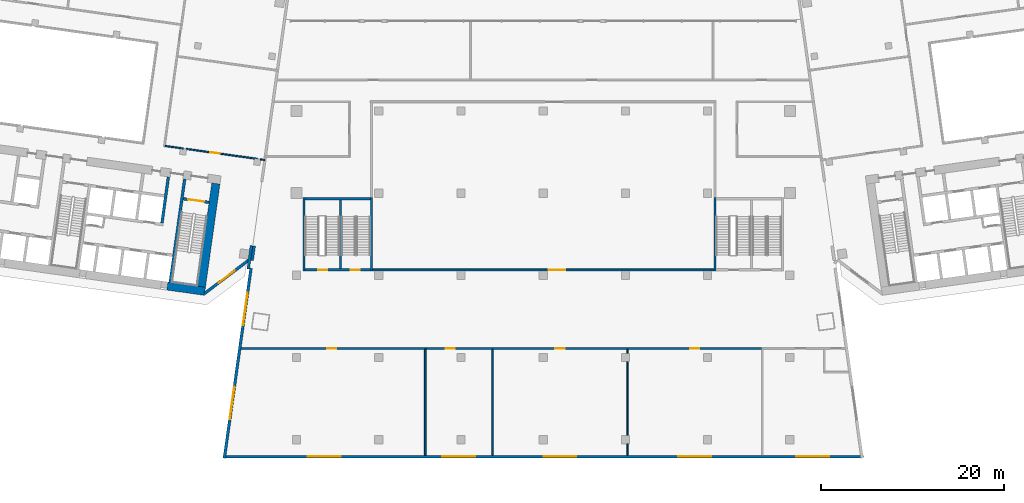
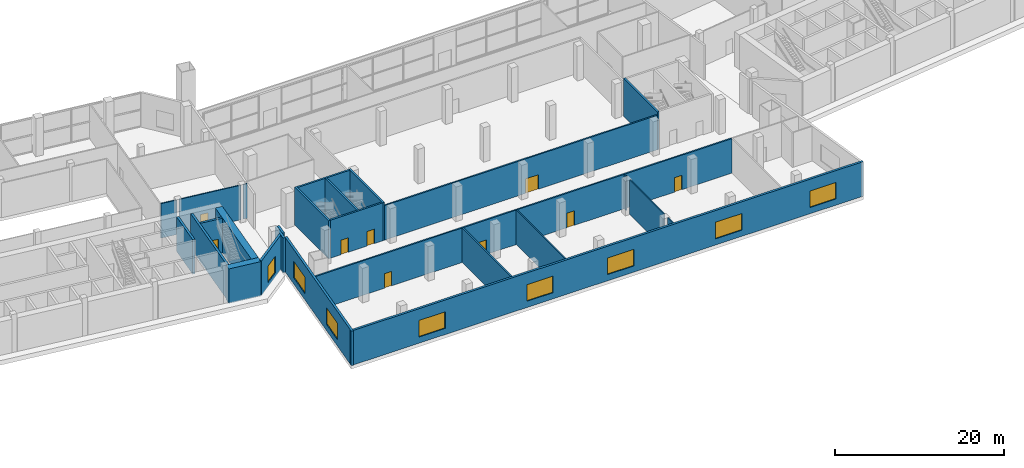
# One storey, part 13 of 23: 27 walls, 9 doors, 8 windows, 17 openings.
"""IFC4 building model written with IfcOpenShell, lengths in metres."""

from ifc_helpers import new_model, si_unit, direction, frame, frame_2d, origin, place, context, subcontext, project, spatial, rectangle, extrude, material, layer, layer_set, type_object, element, fill, save


model = new_model("IFC4")

# Units and contexts
model_context = context("Model", 3, precision=1e-05, world=origin(), true_north=direction((0.0, 1.0)))
body_context = subcontext(model_context, "Body", "Model", "MODEL_VIEW")
ifc_project = project(units=[si_unit("LENGTHUNIT", "METRE"), si_unit("AREAUNIT", "SQUARE_METRE"), si_unit("VOLUMEUNIT", "CUBIC_METRE"), si_unit("PLANEANGLEUNIT", "RADIAN"), si_unit("MASSUNIT", "GRAM", prefix="KILO")], contexts=[model_context])

# Site, building, storey
site_placement = place(None, origin())
site = spatial("IfcSite", under=ifc_project, at=site_placement, CompositionType="ELEMENT")
building_placement = place(site_placement, origin())
building = spatial("IfcBuilding", under=site, at=building_placement, Name="Mirante Cascada Hotel Towers", CompositionType="ELEMENT")
storey_placement = place(building_placement, frame((0.0, 0.0, 29.0)))
storey = spatial("IfcBuildingStorey", under=building, at=storey_placement, Name="L04", CompositionType="ELEMENT", Elevation=29.0)

# Wall
ifc_material_1 = material(Name="Masonry block", Category="masonry")
ifc_layer_1 = layer(ifc_material_1, 0.15)
ifc_layer_set_1 = layer_set([ifc_layer_1], Name="Corridor wall 150 block")
wall_type_1 = type_object("IfcWallType", Name="Corridor wall 150 block", PredefinedType="PARTITIONING", material=ifc_layer_set_1)
wall_1_placement = place(storey_placement, frame((-41.4008, -3.8311, 0.0), z_axis=(0.0, 0.0, 1.0), x_axis=(0.9902711, -0.1391512, 0.0)))
element("IfcWall", 1, at=wall_1_placement, inside=storey, type_object=wall_type_1, Name="Corridor wall T1 L04", PredefinedType="PARTITIONING", context=body_context, shape_type="SweptSolid", body=[
    extrude(rectangle(XDim=2.0108, YDim=0.15, at=frame_2d((1.0054, 0.0))), origin(), (0.0, 0.0, 1.0), 5.0),
])

# Wall, opening, door
wall_2_placement = place(storey_placement, frame((-39.0843, -4.1567, 0.0), z_axis=(0.0, 0.0, 1.0), x_axis=(0.9902676, -0.1391764, 0.0)))
wall_2 = element("IfcWall", 2, at=wall_2_placement, inside=storey, type_object=wall_type_1, Name="Corridor wall T1 L04", PredefinedType="PARTITIONING", context=body_context, shape_type="SweptSolid", body=[
    extrude(rectangle(XDim=7.8713, YDim=0.15, at=frame_2d((3.9356, 0.0))), origin(), (0.0, 0.0, 1.0), 5.0),
])
opening_1_placement = place(wall_2_placement, frame((2.6782, 0.0, 0.0)))
opening_1 = element("IfcOpeningElement", 3, at=opening_1_placement, cuts=wall_2, Name="Opening DP1-L04-01", PredefinedType="OPENING", context=body_context, shape_type="SweptSolid", body=[
    extrude(rectangle(XDim=1.0, YDim=2.1, at=frame_2d((0.5, 1.05))), frame((0.0, 0.075, 0.0), z_axis=(0.0, -1.0, 0.0), x_axis=(1.0, 0.0, 0.0)), (0.0, 0.0, 1.0), 0.15),
])
ifc_material_2 = material(Name="Timber door leaf", Category="wood")
door_type_1 = type_object("IfcDoorType", Name="Single door 1000x2100", OperationType="NOTDEFINED", PredefinedType="DOOR", material=ifc_material_2)
door_1_placement = place(opening_1_placement, frame((1.0, 0.0, 0.0), z_axis=(0.0, 0.0, 1.0), x_axis=(-1.0, 0.0, 0.0)))
door_1 = element("IfcDoor", 4, at=door_1_placement, inside=storey, type_object=door_type_1, Name="Door DP1-L04-01", OperationType="SINGLE_SWING_LEFT", OverallHeight=2.1, OverallWidth=1.0, PredefinedType="DOOR", context=body_context, shape_type="SweptSolid", body=[
    extrude(rectangle(XDim=1.0, YDim=2.1, at=frame_2d((0.5, 1.05))), frame((0.0, 0.025, 0.0), z_axis=(0.0, -1.0, 0.0), x_axis=(1.0, 0.0, 0.0)), (0.0, 0.0, 1.0), 0.05),
])
fill(opening_1, door_1)

# Wall
wall_3_placement = place(storey_placement, frame((-30.9641, -5.2979, 0.0), z_axis=(0.0, 0.0, 1.0), x_axis=(0.9902657, -0.1391899, 0.0)))
element("IfcWall", 5, at=wall_3_placement, inside=storey, type_object=wall_type_1, Name="Corridor wall T1 L04", PredefinedType="PARTITIONING", context=body_context, shape_type="SweptSolid", body=[
    extrude(rectangle(XDim=0.4957, YDim=0.15, at=frame_2d((0.2478, 0.0))), origin(), (0.0, 0.0, 1.0), 5.0),
])

# Wall, openings, doors
ifc_material_3 = material(Name="Masonry block", Category="masonry")
ifc_layer_2 = layer(ifc_material_3, 0.2)
ifc_layer_set_2 = layer_set([ifc_layer_2], Name="Hall wall 200 block")
wall_type_2 = type_object("IfcWallType", Name="Hall wall 200 block", PredefinedType="PARTITIONING", material=ifc_layer_set_2)
wall_4_placement = place(storey_placement, frame((-12.8266, -26.0, 0.0), z_axis=(0.0, 0.0, 1.0), x_axis=(1.0, 0.0, 0.0)))
wall_4 = element("IfcWall", 6, at=wall_4_placement, inside=storey, type_object=wall_type_2, Name="Hall wall P L04", PredefinedType="PARTITIONING", context=body_context, shape_type="SweptSolid", body=[
    extrude(rectangle(XDim=36.7497, YDim=0.2, at=frame_2d((18.3748, 0.0))), origin(), (0.0, 0.0, 1.0), 5.0),
])
opening_2_placement = place(wall_4_placement, frame((2.1454, 0.0, 0.0)))
opening_2 = element("IfcOpeningElement", 7, at=opening_2_placement, cuts=wall_4, Name="Opening DP-L04-10", PredefinedType="OPENING", context=body_context, shape_type="SweptSolid", body=[
    extrude(rectangle(XDim=1.0, YDim=2.1, at=frame_2d((0.5, 1.05))), frame((0.0, 0.1, 0.0), z_axis=(0.0, -1.0, 0.0), x_axis=(1.0, 0.0, 0.0)), (0.0, 0.0, 1.0), 0.2),
])
opening_3_placement = place(wall_4_placement, frame((14.1718, 0.0, 0.0)))
opening_3 = element("IfcOpeningElement", 8, at=opening_3_placement, cuts=wall_4, Name="Opening DP-L04-11", PredefinedType="OPENING", context=body_context, shape_type="SweptSolid", body=[
    extrude(rectangle(XDim=1.0, YDim=2.1, at=frame_2d((0.5, 1.05))), frame((0.0, 0.1, 0.0), z_axis=(0.0, -1.0, 0.0), x_axis=(1.0, 0.0, 0.0)), (0.0, 0.0, 1.0), 0.2),
])
opening_4_placement = place(wall_4_placement, frame((28.9012, 0.0, 0.0)))
opening_4 = element("IfcOpeningElement", 9, at=opening_4_placement, cuts=wall_4, Name="Opening DP-L04-12", PredefinedType="OPENING", context=body_context, shape_type="SweptSolid", body=[
    extrude(rectangle(XDim=1.0, YDim=2.1, at=frame_2d((0.5, 1.05))), frame((0.0, 0.1, 0.0), z_axis=(0.0, -1.0, 0.0), x_axis=(1.0, 0.0, 0.0)), (0.0, 0.0, 1.0), 0.2),
])
door_2_placement = place(opening_2_placement, frame((1.0, 0.0, 0.0), z_axis=(0.0, 0.0, 1.0), x_axis=(-1.0, 0.0, 0.0)))
door_2 = element("IfcDoor", 10, at=door_2_placement, inside=storey, type_object=door_type_1, Name="Door DP-L04-10", OperationType="SINGLE_SWING_RIGHT", OverallHeight=2.1, OverallWidth=1.0, PredefinedType="DOOR", context=body_context, shape_type="SweptSolid", body=[
    extrude(rectangle(XDim=1.0, YDim=2.1, at=frame_2d((0.5, 1.05))), frame((0.0, 0.025, 0.0), z_axis=(0.0, -1.0, 0.0), x_axis=(1.0, 0.0, 0.0)), (0.0, 0.0, 1.0), 0.05),
])
fill(opening_2, door_2)
door_3_placement = place(opening_3_placement, origin())
door_3 = element("IfcDoor", 11, at=door_3_placement, inside=storey, type_object=door_type_1, Name="Door DP-L04-11", OperationType="SINGLE_SWING_LEFT", OverallHeight=2.1, OverallWidth=1.0, PredefinedType="DOOR", context=body_context, shape_type="SweptSolid", body=[
    extrude(rectangle(XDim=1.0, YDim=2.1, at=frame_2d((0.5, 1.05))), frame((0.0, 0.025, 0.0), z_axis=(0.0, -1.0, 0.0), x_axis=(1.0, 0.0, 0.0)), (0.0, 0.0, 1.0), 0.05),
])
fill(opening_3, door_3)
door_4_placement = place(opening_4_placement, origin())
door_4 = element("IfcDoor", 12, at=door_4_placement, inside=storey, type_object=door_type_1, Name="Door DP-L04-12", OperationType="SINGLE_SWING_RIGHT", OverallHeight=2.1, OverallWidth=1.0, PredefinedType="DOOR", context=body_context, shape_type="SweptSolid", body=[
    extrude(rectangle(XDim=1.0, YDim=2.1, at=frame_2d((0.5, 1.05))), frame((0.0, 0.025, 0.0), z_axis=(0.0, -1.0, 0.0), x_axis=(1.0, 0.0, 0.0)), (0.0, 0.0, 1.0), 0.05),
])
fill(opening_4, door_4)

# Wall, opening, door
wall_5_placement = place(storey_placement, frame((-18.685, -17.4, 0.0), z_axis=(0.0, 0.0, 1.0), x_axis=(1.0, 0.0, 0.0)))
wall_5 = element("IfcWall", 13, at=wall_5_placement, inside=storey, type_object=wall_type_2, Name="Hall wall P L04", PredefinedType="PARTITIONING", context=body_context, shape_type="SweptSolid", body=[
    extrude(rectangle(XDim=37.37, YDim=0.2, at=frame_2d((18.685, 0.0))), origin(), (0.0, 0.0, 1.0), 5.0),
])
opening_5_placement = place(wall_5_placement, frame((19.285, 0.0, 0.0)))
opening_5 = element("IfcOpeningElement", 14, at=opening_5_placement, cuts=wall_5, Name="Opening DP-L04-05", PredefinedType="OPENING", context=body_context, shape_type="SweptSolid", body=[
    extrude(rectangle(XDim=1.8, YDim=2.1, at=frame_2d((0.9, 1.05))), frame((0.0, 0.1, 0.0), z_axis=(0.0, -1.0, 0.0), x_axis=(1.0, 0.0, 0.0)), (0.0, 0.0, 1.0), 0.2),
])
ifc_material_4 = material(Name="Timber door leaf", Category="wood")
door_type_2 = type_object("IfcDoorType", Name="Double door 1800x2100", OperationType="DOUBLE_DOOR_SINGLE_SWING", PredefinedType="DOOR", material=ifc_material_4)
door_5_placement = place(opening_5_placement, origin())
door_5 = element("IfcDoor", 15, at=door_5_placement, inside=storey, type_object=door_type_2, Name="Door DP-L04-05", OperationType="DOUBLE_DOOR_SINGLE_SWING", OverallHeight=2.1, OverallWidth=1.8, PredefinedType="DOOR", context=body_context, shape_type="SweptSolid", body=[
    extrude(rectangle(XDim=0.895, YDim=2.1, at=frame_2d((0.4475, 1.05))), frame((0.0, 0.025, 0.0), z_axis=(0.0, -1.0, 0.0), x_axis=(1.0, 0.0, 0.0)), (0.0, 0.0, 1.0), 0.05),
    extrude(rectangle(XDim=0.895, YDim=2.1, at=frame_2d((1.3525, 1.05))), frame((0.0, 0.025, 0.0), z_axis=(0.0, -1.0, 0.0), x_axis=(1.0, 0.0, 0.0)), (0.0, 0.0, 1.0), 0.05),
])
fill(opening_5, door_5)

ifc_material_5 = material(Name="Masonry block", Category="masonry")
ifc_layer_3 = layer(ifc_material_5, 0.2)
ifc_layer_set_3 = layer_set([ifc_layer_3], Name="Kitchen wall 200 block EI 120")
wall_type_3 = type_object("IfcWallType", Name="Kitchen wall 200 block EI 120", PredefinedType="PARTITIONING", material=ifc_layer_set_3)
wall_6_placement = place(storey_placement, frame((-33.0701, -26.0, 0.0), z_axis=(0.0, 0.0, 1.0), x_axis=(1.0, 0.0, 0.0)))
wall_6 = element("IfcWall", 16, at=wall_6_placement, inside=storey, type_object=wall_type_3, Name="Kitchen wall P L04", PredefinedType="PARTITIONING", context=body_context, shape_type="SweptSolid", body=[
    extrude(rectangle(XDim=20.2635, YDim=0.2, at=frame_2d((10.1318, 0.0))), origin(), (0.0, 0.0, 1.0), 5.0),
])
opening_6_placement = place(wall_6_placement, frame((9.4253, 0.0, 0.0)))
opening_6 = element("IfcOpeningElement", 17, at=opening_6_placement, cuts=wall_6, Name="Opening DP-L04-09", PredefinedType="OPENING", context=body_context, shape_type="SweptSolid", body=[
    extrude(rectangle(XDim=1.0, YDim=2.1, at=frame_2d((0.5, 1.05))), frame((0.0, 0.1, 0.0), z_axis=(0.0, -1.0, 0.0), x_axis=(1.0, 0.0, 0.0)), (0.0, 0.0, 1.0), 0.2),
])
ifc_material_6 = material(Name="Hollow metal fire door leaf")
door_type_3 = type_object("IfcDoorType", Name="Fire door 1000x2100 FD60", OperationType="NOTDEFINED", PredefinedType="DOOR", material=ifc_material_6)
door_6_placement = place(opening_6_placement, frame((1.0, 0.0, 0.0), z_axis=(0.0, 0.0, 1.0), x_axis=(-1.0, 0.0, 0.0)))
door_6 = element("IfcDoor", 18, at=door_6_placement, inside=storey, type_object=door_type_3, Name="Door DP-L04-09", OperationType="SINGLE_SWING_LEFT", OverallHeight=2.1, OverallWidth=1.0, PredefinedType="DOOR", context=body_context, shape_type="SweptSolid", body=[
    extrude(rectangle(XDim=1.0, YDim=2.1, at=frame_2d((0.5, 1.05))), frame((0.0, 0.025, 0.0), z_axis=(0.0, -1.0, 0.0), x_axis=(1.0, 0.0, 0.0)), (0.0, 0.0, 1.0), 0.05),
])
fill(opening_6, door_6)

# Walls
wall_7_placement = place(storey_placement, frame((-12.9166, -37.7, 0.0), z_axis=(0.0, 0.0, 1.0), x_axis=(0.0, 1.0, 0.0)))
element("IfcWall", 19, at=wall_7_placement, inside=storey, type_object=wall_type_3, Name="Kitchen wall P L04", PredefinedType="PARTITIONING", context=body_context, shape_type="SweptSolid", body=[
    extrude(rectangle(XDim=11.6, YDim=0.2, at=frame_2d((5.8, 0.0))), origin(), (0.0, 0.0, 1.0), 5.0),
])
ifc_material_7 = material(Name="Masonry block", Category="masonry")
ifc_layer_4 = layer(ifc_material_7, 0.15)
ifc_layer_set_4 = layer_set([ifc_layer_4], Name="Partition 150 block")
wall_type_4 = type_object("IfcWallType", Name="Partition 150 block", PredefinedType="PARTITIONING", material=ifc_layer_set_4)
wall_8_placement = place(storey_placement, frame((9.2262, -37.7, 0.0), z_axis=(0.0, 0.0, 1.0), x_axis=(0.0, 1.0, 0.0)))
element("IfcWall", 20, at=wall_8_placement, inside=storey, type_object=wall_type_4, Name="Partition P L04", PredefinedType="PARTITIONING", context=body_context, shape_type="SweptSolid", body=[
    extrude(rectangle(XDim=1.25, YDim=0.15, at=frame_2d((0.625, 0.0))), origin(), (0.0, 0.0, 1.0), 5.0),
])
wall_9_placement = place(storey_placement, frame((-5.5357, -37.7, 0.0), z_axis=(0.0, 0.0, 1.0), x_axis=(0.0, 1.0, 0.0)))
element("IfcWall", 21, at=wall_9_placement, inside=storey, type_object=wall_type_4, Name="Partition P L04", PredefinedType="PARTITIONING", context=body_context, shape_type="SweptSolid", body=[
    extrude(rectangle(XDim=11.6, YDim=0.15, at=frame_2d((5.8, 0.0))), origin(), (0.0, 0.0, 1.0), 5.0),
])
wall_10_placement = place(storey_placement, frame((9.2262, -35.55, 0.0), z_axis=(0.0, 0.0, 1.0), x_axis=(0.0, 1.0, 0.0)))
element("IfcWall", 22, at=wall_10_placement, inside=storey, type_object=wall_type_4, Name="Partition P L04", PredefinedType="PARTITIONING", context=body_context, shape_type="SweptSolid", body=[
    extrude(rectangle(XDim=8.1, YDim=0.15, at=frame_2d((4.05, 0.0))), origin(), (0.0, 0.0, 1.0), 5.0),
])
wall_11_placement = place(storey_placement, frame((9.2262, -26.55, 0.0), z_axis=(0.0, 0.0, 1.0), x_axis=(0.0, 1.0, 0.0)))
element("IfcWall", 23, at=wall_11_placement, inside=storey, type_object=wall_type_4, Name="Partition P L04", PredefinedType="PARTITIONING", context=body_context, shape_type="SweptSolid", body=[
    extrude(rectangle(XDim=0.45, YDim=0.15, at=frame_2d((0.225, 0.0))), origin(), (0.0, 0.0, 1.0), 5.0),
])

# Wall, opening, window
ifc_material_8 = material(Name="Precast concrete C40/50", Category="concrete")
ifc_layer_5 = layer(ifc_material_8, 0.3)
ifc_layer_set_5 = layer_set([ifc_layer_5], Name="Precast concrete C40/50 cladding wall 300")
wall_type_5 = type_object("IfcWallType", Name="Precast concrete C40/50 cladding wall 300", PredefinedType="STANDARD", material=ifc_layer_set_5)
wall_12_placement = place(storey_placement, frame((-32.2074, -16.3138, 0.0), z_axis=(0.0, 0.0, 1.0), x_axis=(-0.7986362, -0.6018141, 0.0)))
wall_12 = element("IfcWall", 24, at=wall_12_placement, inside=storey, type_object=wall_type_5, Name="Corner cladding wall T1 L04 inner rear", PredefinedType="STANDARD", context=body_context, shape_type="SweptSolid", body=[
    extrude(rectangle(XDim=6.1157, YDim=0.3, at=frame_2d((3.0578, 0.0))), origin(), (0.0, 0.0, 1.0), 5.0),
])
opening_7_placement = place(wall_12_placement, frame((1.9578, 0.0, 0.6)))
opening_7 = element("IfcOpeningElement", 25, at=opening_7_placement, cuts=wall_12, Name="Opening W1-04-05", PredefinedType="OPENING", context=body_context, shape_type="SweptSolid", body=[
    extrude(rectangle(XDim=2.2, YDim=2.4, at=frame_2d((1.1, 1.2))), frame((0.0, 0.15, 0.0), z_axis=(0.0, -1.0, 0.0), x_axis=(1.0, 0.0, 0.0)), (0.0, 0.0, 1.0), 0.3),
])
ifc_material_9 = material(Name="Aluminium frame with clear double glazing", Category="aluminium")
window_type_1 = type_object("IfcWindowType", Name="Corner suite window 2200x2400", PartitioningType="DOUBLE_PANEL_VERTICAL", PredefinedType="WINDOW", material=ifc_material_9)
window_1_placement = place(opening_7_placement, origin())
window_1 = element("IfcWindow", 26, at=window_1_placement, inside=storey, type_object=window_type_1, Name="Window W1-04-05", OverallHeight=2.4, OverallWidth=2.2, PartitioningType="SINGLE_PANEL", PredefinedType="WINDOW", context=body_context, shape_type="SweptSolid", body=[
    extrude(rectangle(XDim=2.2, YDim=2.4, at=frame_2d((1.1, 1.2))), frame((0.0, 0.03, 0.0), z_axis=(0.0, -1.0, 0.0), x_axis=(1.0, 0.0, 0.0)), (0.0, 0.0, 1.0), 0.06),
])
fill(opening_7, window_1)

# Wall, openings, windows
wall_13_placement = place(storey_placement, frame((-35.0595, -37.85, 0.0), z_axis=(0.0, 0.0, 1.0), x_axis=(1.0, 0.0, 0.0)))
wall_13 = element("IfcWall", 27, at=wall_13_placement, inside=storey, type_object=wall_type_5, Name="Podium cladding wall L04 P:L04:1", PredefinedType="STANDARD", context=body_context, shape_type="SweptSolid", body=[
    extrude(rectangle(XDim=70.119, YDim=0.3, at=frame_2d((35.0595, 0.0))), origin(), (0.0, 0.0, 1.0), 5.0),
])
opening_8_placement = place(wall_13_placement, frame((9.2714, 0.0, 0.9)))
opening_8 = element("IfcOpeningElement", 28, at=opening_8_placement, cuts=wall_13, Name="Opening WP-04-01", PredefinedType="OPENING", context=body_context, shape_type="SweptSolid", body=[
    extrude(rectangle(XDim=3.6, YDim=2.4, at=frame_2d((1.8, 1.2))), frame((0.0, 0.15, 0.0), z_axis=(0.0, -1.0, 0.0), x_axis=(1.0, 0.0, 0.0)), (0.0, 0.0, 1.0), 0.3),
])
opening_9_placement = place(wall_13_placement, frame((24.0333, 0.0, 0.9)))
opening_9 = element("IfcOpeningElement", 29, at=opening_9_placement, cuts=wall_13, Name="Opening WP-04-02", PredefinedType="OPENING", context=body_context, shape_type="SweptSolid", body=[
    extrude(rectangle(XDim=3.6, YDim=2.4, at=frame_2d((1.8, 1.2))), frame((0.0, 0.15, 0.0), z_axis=(0.0, -1.0, 0.0), x_axis=(1.0, 0.0, 0.0)), (0.0, 0.0, 1.0), 0.3),
])
opening_10_placement = place(wall_13_placement, frame((35.1047, 0.0, 0.9)))
opening_10 = element("IfcOpeningElement", 30, at=opening_10_placement, cuts=wall_13, Name="Opening WP-04-03", PredefinedType="OPENING", context=body_context, shape_type="SweptSolid", body=[
    extrude(rectangle(XDim=3.6, YDim=2.4, at=frame_2d((1.8, 1.2))), frame((0.0, 0.15, 0.0), z_axis=(0.0, -1.0, 0.0), x_axis=(1.0, 0.0, 0.0)), (0.0, 0.0, 1.0), 0.3),
])
opening_11_placement = place(wall_13_placement, frame((49.8666, 0.0, 0.9)))
opening_11 = element("IfcOpeningElement", 31, at=opening_11_placement, cuts=wall_13, Name="Opening WP-04-04", PredefinedType="OPENING", context=body_context, shape_type="SweptSolid", body=[
    extrude(rectangle(XDim=3.6, YDim=2.4, at=frame_2d((1.8, 1.2))), frame((0.0, 0.15, 0.0), z_axis=(0.0, -1.0, 0.0), x_axis=(1.0, 0.0, 0.0)), (0.0, 0.0, 1.0), 0.3),
])
opening_12_placement = place(wall_13_placement, frame((62.7832, 0.0, 0.9)))
opening_12 = element("IfcOpeningElement", 32, at=opening_12_placement, cuts=wall_13, Name="Opening WP-04-05", PredefinedType="OPENING", context=body_context, shape_type="SweptSolid", body=[
    extrude(rectangle(XDim=3.6, YDim=2.4, at=frame_2d((1.8, 1.2))), frame((0.0, 0.15, 0.0), z_axis=(0.0, -1.0, 0.0), x_axis=(1.0, 0.0, 0.0)), (0.0, 0.0, 1.0), 0.3),
])
ifc_material_10 = material(Name="Aluminium frame with clear double glazing", Category="aluminium")
window_type_2 = type_object("IfcWindowType", Name="Podium punched window 3600x2400", PartitioningType="DOUBLE_PANEL_VERTICAL", PredefinedType="WINDOW", material=ifc_material_10)
window_2_placement = place(opening_8_placement, origin())
window_2 = element("IfcWindow", 33, at=window_2_placement, inside=storey, type_object=window_type_2, Name="Window WP-04-01", OverallHeight=2.4, OverallWidth=3.6, PartitioningType="SINGLE_PANEL", PredefinedType="WINDOW", context=body_context, shape_type="SweptSolid", body=[
    extrude(rectangle(XDim=3.6, YDim=2.4, at=frame_2d((1.8, 1.2))), frame((0.0, 0.03, 0.0), z_axis=(0.0, -1.0, 0.0), x_axis=(1.0, 0.0, 0.0)), (0.0, 0.0, 1.0), 0.06),
])
fill(opening_8, window_2)
window_3_placement = place(opening_9_placement, origin())
window_3 = element("IfcWindow", 34, at=window_3_placement, inside=storey, type_object=window_type_2, Name="Window WP-04-02", OverallHeight=2.4, OverallWidth=3.6, PartitioningType="SINGLE_PANEL", PredefinedType="WINDOW", context=body_context, shape_type="SweptSolid", body=[
    extrude(rectangle(XDim=3.6, YDim=2.4, at=frame_2d((1.8, 1.2))), frame((0.0, 0.03, 0.0), z_axis=(0.0, -1.0, 0.0), x_axis=(1.0, 0.0, 0.0)), (0.0, 0.0, 1.0), 0.06),
])
fill(opening_9, window_3)
window_4_placement = place(opening_10_placement, origin())
window_4 = element("IfcWindow", 35, at=window_4_placement, inside=storey, type_object=window_type_2, Name="Window WP-04-03", OverallHeight=2.4, OverallWidth=3.6, PartitioningType="SINGLE_PANEL", PredefinedType="WINDOW", context=body_context, shape_type="SweptSolid", body=[
    extrude(rectangle(XDim=3.6, YDim=2.4, at=frame_2d((1.8, 1.2))), frame((0.0, 0.03, 0.0), z_axis=(0.0, -1.0, 0.0), x_axis=(1.0, 0.0, 0.0)), (0.0, 0.0, 1.0), 0.06),
])
fill(opening_10, window_4)
window_5_placement = place(opening_11_placement, origin())
window_5 = element("IfcWindow", 36, at=window_5_placement, inside=storey, type_object=window_type_2, Name="Window WP-04-04", OverallHeight=2.4, OverallWidth=3.6, PartitioningType="SINGLE_PANEL", PredefinedType="WINDOW", context=body_context, shape_type="SweptSolid", body=[
    extrude(rectangle(XDim=3.6, YDim=2.4, at=frame_2d((1.8, 1.2))), frame((0.0, 0.03, 0.0), z_axis=(0.0, -1.0, 0.0), x_axis=(1.0, 0.0, 0.0)), (0.0, 0.0, 1.0), 0.06),
])
fill(opening_11, window_5)
window_6_placement = place(opening_12_placement, origin())
window_6 = element("IfcWindow", 37, at=window_6_placement, inside=storey, type_object=window_type_2, Name="Window WP-04-05", OverallHeight=2.4, OverallWidth=3.6, PartitioningType="SINGLE_PANEL", PredefinedType="WINDOW", context=body_context, shape_type="SweptSolid", body=[
    extrude(rectangle(XDim=3.6, YDim=2.4, at=frame_2d((1.8, 1.2))), frame((0.0, 0.03, 0.0), z_axis=(0.0, -1.0, 0.0), x_axis=(1.0, 0.0, 0.0)), (0.0, 0.0, 1.0), 0.06),
])
fill(opening_12, window_6)

wall_14_placement = place(storey_placement, frame((-31.9876, -17.2201, 0.0), z_axis=(0.0, 0.0, 1.0), x_axis=(-0.1391749, -0.9902678, 0.0)))
wall_14 = element("IfcWall", 38, at=wall_14_placement, inside=storey, type_object=wall_type_5, Name="Podium cladding wall L04 P:L04:4", PredefinedType="STANDARD", context=body_context, shape_type="SweptSolid", body=[
    extrude(rectangle(XDim=21.0052, YDim=0.3, at=frame_2d((10.5026, 0.0))), origin(), (0.0, 0.0, 1.0), 5.0),
])
opening_13_placement = place(wall_14_placement, frame((2.6994, 0.0, 0.9)))
opening_13 = element("IfcOpeningElement", 39, at=opening_13_placement, cuts=wall_14, Name="Opening WP-04-08", PredefinedType="OPENING", context=body_context, shape_type="SweptSolid", body=[
    extrude(rectangle(XDim=3.6, YDim=2.4, at=frame_2d((1.8, 1.2))), frame((0.0, 0.15, 0.0), z_axis=(0.0, -1.0, 0.0), x_axis=(1.0, 0.0, 0.0)), (0.0, 0.0, 1.0), 0.3),
])
opening_14_placement = place(wall_14_placement, frame((13.1006, 0.0, 0.9)))
opening_14 = element("IfcOpeningElement", 40, at=opening_14_placement, cuts=wall_14, Name="Opening WP-04-09", PredefinedType="OPENING", context=body_context, shape_type="SweptSolid", body=[
    extrude(rectangle(XDim=3.6, YDim=2.4, at=frame_2d((1.8, 1.2))), frame((0.0, 0.15, 0.0), z_axis=(0.0, -1.0, 0.0), x_axis=(1.0, 0.0, 0.0)), (0.0, 0.0, 1.0), 0.3),
])
window_7_placement = place(opening_13_placement, origin())
window_7 = element("IfcWindow", 41, at=window_7_placement, inside=storey, type_object=window_type_2, Name="Window WP-04-08", OverallHeight=2.4, OverallWidth=3.6, PartitioningType="SINGLE_PANEL", PredefinedType="WINDOW", context=body_context, shape_type="SweptSolid", body=[
    extrude(rectangle(XDim=3.6, YDim=2.4, at=frame_2d((1.8, 1.2))), frame((0.0, 0.03, 0.0), z_axis=(0.0, -1.0, 0.0), x_axis=(1.0, 0.0, 0.0)), (0.0, 0.0, 1.0), 0.06),
])
fill(opening_13, window_7)
window_8_placement = place(opening_14_placement, origin())
window_8 = element("IfcWindow", 42, at=window_8_placement, inside=storey, type_object=window_type_2, Name="Window WP-04-09", OverallHeight=2.4, OverallWidth=3.6, PartitioningType="SINGLE_PANEL", PredefinedType="WINDOW", context=body_context, shape_type="SweptSolid", body=[
    extrude(rectangle(XDim=3.6, YDim=2.4, at=frame_2d((1.8, 1.2))), frame((0.0, 0.03, 0.0), z_axis=(0.0, -1.0, 0.0), x_axis=(1.0, 0.0, 0.0)), (0.0, 0.0, 1.0), 0.06),
])
fill(opening_14, window_8)

# Walls
wall_15_placement = place(storey_placement, frame((-32.3027, -17.3071, 0.0), z_axis=(0.0, 0.0, 1.0), x_axis=(0.1391652, 0.9902692, 0.0)))
element("IfcWall", 43, at=wall_15_placement, inside=storey, type_object=wall_type_5, Name="Corner closure wall L04 1.1", PredefinedType="STANDARD", context=body_context, shape_type="SweptSolid", body=[
    extrude(rectangle(XDim=2.5818, YDim=0.3, at=frame_2d((1.2909, 0.0))), origin(), (0.0, 0.0, 1.0), 5.0),
])
wall_16_placement = place(storey_placement, frame((-31.6463, -14.7921, 0.0), z_axis=(0.0, 0.0, 1.0), x_axis=(-0.1392118, -0.9902626, 0.0)))
element("IfcWall", 44, at=wall_16_placement, inside=storey, type_object=wall_type_5, Name="Corner closure wall L04 2.1", PredefinedType="STANDARD", context=body_context, shape_type="SweptSolid", body=[
    extrude(rectangle(XDim=1.6033, YDim=0.3, at=frame_2d((0.8016, 0.0))), origin(), (0.0, 0.0, 1.0), 5.0),
])
ifc_material_11 = material(Name="Concrete C50/60", Category="concrete")
ifc_layer_6 = layer(ifc_material_11, 0.3)
ifc_layer_set_6 = layer_set([ifc_layer_6], Name="RC core wall 300 C50/60")
wall_type_6 = type_object("IfcWallType", Name="RC core wall 300 C50/60", PredefinedType="SHEAR", material=ifc_layer_set_6)
wall_17_placement = place(storey_placement, frame((-40.8373, -18.7548, 0.0), z_axis=(0.0, 0.0, 1.0), x_axis=(0.1391749, 0.9902678, 0.0)))
element("IfcWall", 45, at=wall_17_placement, inside=storey, type_object=wall_type_6, Name="Core wall T1:L04:5", PredefinedType="SHEAR", context=body_context, shape_type="SweptSolid", body=[
    extrude(rectangle(XDim=11.4, YDim=0.3, at=frame_2d((5.7, 0.0))), origin(), (0.0, 0.0, 1.0), 5.0),
])

# Wall, opening, door
wall_18_placement = place(storey_placement, frame((-36.5791, -10.0123, 0.0), z_axis=(0.0, 0.0, 1.0), x_axis=(-0.9902704, 0.1391564, 0.0)))
wall_18 = element("IfcWall", 46, at=wall_18_placement, inside=storey, type_object=wall_type_6, Name="Core wall T1:L04:9", PredefinedType="SHEAR", context=body_context, shape_type="SweptSolid", body=[
    extrude(rectangle(XDim=2.85, YDim=0.3, at=frame_2d((1.425, 0.0))), origin(), (0.0, 0.0, 1.0), 5.0),
])
opening_15_placement = place(wall_18_placement, frame((0.525, 0.0, 0.0)))
opening_15 = element("IfcOpeningElement", 47, at=opening_15_placement, cuts=wall_18, Name="Opening D1-04-C16", PredefinedType="OPENING", context=body_context, shape_type="SweptSolid", body=[
    extrude(rectangle(XDim=1.8, YDim=2.1, at=frame_2d((0.9, 1.05))), frame((0.0, 0.15, 0.0), z_axis=(0.0, -1.0, 0.0), x_axis=(1.0, 0.0, 0.0)), (0.0, 0.0, 1.0), 0.3),
])
ifc_material_12 = material(Name="Hollow metal fire door leaf")
door_type_4 = type_object("IfcDoorType", Name="Double fire door 1800x2100 FD60", OperationType="DOUBLE_DOOR_SINGLE_SWING", PredefinedType="DOOR", material=ifc_material_12)
door_7_placement = place(opening_15_placement, origin())
door_7 = element("IfcDoor", 48, at=door_7_placement, inside=storey, type_object=door_type_4, Name="Stair door T1 L04 16", OperationType="DOUBLE_DOOR_SINGLE_SWING", OverallHeight=2.1, OverallWidth=1.8, PredefinedType="DOOR", context=body_context, shape_type="SweptSolid", body=[
    extrude(rectangle(XDim=0.895, YDim=2.1, at=frame_2d((0.4475, 1.05))), frame((0.0, 0.025, 0.0), z_axis=(0.0, -1.0, 0.0), x_axis=(1.0, 0.0, 0.0)), (0.0, 0.0, 1.0), 0.05),
    extrude(rectangle(XDim=0.895, YDim=2.1, at=frame_2d((1.3525, 1.05))), frame((0.0, 0.025, 0.0), z_axis=(0.0, -1.0, 0.0), x_axis=(1.0, 0.0, 0.0)), (0.0, 0.0, 1.0), 0.05),
])
fill(opening_15, door_7)

# Walls
wall_19_placement = place(storey_placement, frame((-41.743, -12.2656, 0.0), z_axis=(0.0, 0.0, 1.0), x_axis=(0.1391755, 0.9902677, 0.0)))
element("IfcWall", 49, at=wall_19_placement, inside=storey, type_object=wall_type_6, Name="Core wall T1:L04:20", PredefinedType="SHEAR", context=body_context, shape_type="SweptSolid", body=[
    extrude(rectangle(XDim=5.1, YDim=0.3, at=frame_2d((2.55, 0.0))), origin(), (0.0, 0.0, 1.0), 5.0),
])
ifc_material_13 = material(Name="Concrete C50/60", Category="concrete")
ifc_layer_7 = layer(ifc_material_13, 0.9)
ifc_layer_set_7 = layer_set([ifc_layer_7], Name="RC core wall 900 C50/60")
wall_type_7 = type_object("IfcWallType", Name="RC core wall 900 C50/60", PredefinedType="SHEAR", material=ifc_layer_set_7)
wall_20_placement = place(storey_placement, frame((-37.0379, -19.7432, 0.0), z_axis=(0.0, 0.0, 1.0), x_axis=(-0.990267, 0.139181, 0.0)))
element("IfcWall", 50, at=wall_20_placement, inside=storey, type_object=wall_type_7, Name="Core wall T1:L04:1.1", PredefinedType="SHEAR", context=body_context, shape_type="SweptSolid", body=[
    extrude(rectangle(XDim=4.15, YDim=0.9, at=frame_2d((2.075, 0.0))), origin(), (0.0, 0.0, 1.0), 5.0),
])
wall_21_placement = place(storey_placement, frame((-37.4209, -19.2349, 0.0), z_axis=(0.0, 0.0, 1.0), x_axis=(0.1391761, 0.9902677, 0.0)))
element("IfcWall", 51, at=wall_21_placement, inside=storey, type_object=wall_type_7, Name="Core wall T1:L04:3", PredefinedType="SHEAR", context=body_context, shape_type="SweptSolid", body=[
    extrude(rectangle(XDim=11.3999, YDim=0.9, at=frame_2d((5.7, 0.0))), origin(), (0.0, 0.0, 1.0), 5.0),
])

# Wall, openings, doors
ifc_material_14 = material(Name="Concrete C35/45", Category="concrete")
ifc_layer_8 = layer(ifc_material_14, 0.25)
ifc_layer_set_8 = layer_set([ifc_layer_8], Name="Stair wall 250 concrete C35/45 EI 120")
wall_type_8 = type_object("IfcWallType", Name="Stair wall 250 concrete C35/45 EI 120", PredefinedType="STANDARD", material=ifc_layer_set_8)
wall_22_placement = place(storey_placement, frame((-26.085, -17.4, 0.0), z_axis=(0.0, 0.0, 1.0), x_axis=(1.0, 0.0, 0.0)))
wall_22 = element("IfcWall", 52, at=wall_22_placement, inside=storey, type_object=wall_type_8, Name="Stair wall P L04", PredefinedType="STANDARD", context=body_context, shape_type="SweptSolid", body=[
    extrude(rectangle(XDim=7.17, YDim=0.25, at=frame_2d((3.585, 0.0))), origin(), (0.0, 0.0, 1.0), 5.5),
])
opening_16_placement = place(wall_22_placement, frame((5.0275, 0.0, 0.0)))
opening_16 = element("IfcOpeningElement", 53, at=opening_16_placement, cuts=wall_22, Name="Opening DP-L04-01", PredefinedType="OPENING", context=body_context, shape_type="SweptSolid", body=[
    extrude(rectangle(XDim=1.0, YDim=2.1, at=frame_2d((0.5, 1.05))), frame((0.0, 0.125, 0.0), z_axis=(0.0, -1.0, 0.0), x_axis=(1.0, 0.0, 0.0)), (0.0, 0.0, 1.0), 0.25),
])
opening_17_placement = place(wall_22_placement, frame((1.4425, 0.0, 0.0)))
opening_17 = element("IfcOpeningElement", 54, at=opening_17_placement, cuts=wall_22, Name="Opening DP-L04-02", PredefinedType="OPENING", context=body_context, shape_type="SweptSolid", body=[
    extrude(rectangle(XDim=1.0, YDim=2.1, at=frame_2d((0.5, 1.05))), frame((0.0, 0.125, 0.0), z_axis=(0.0, -1.0, 0.0), x_axis=(1.0, 0.0, 0.0)), (0.0, 0.0, 1.0), 0.25),
])
door_8_placement = place(opening_16_placement, origin())
door_8 = element("IfcDoor", 55, at=door_8_placement, inside=storey, type_object=door_type_3, Name="Door DP-L04-01", OperationType="SINGLE_SWING_LEFT", OverallHeight=2.1, OverallWidth=1.0, PredefinedType="DOOR", context=body_context, shape_type="SweptSolid", body=[
    extrude(rectangle(XDim=1.0, YDim=2.1, at=frame_2d((0.5, 1.05))), frame((0.0, 0.025, 0.0), z_axis=(0.0, -1.0, 0.0), x_axis=(1.0, 0.0, 0.0)), (0.0, 0.0, 1.0), 0.05),
])
fill(opening_16, door_8)
door_9_placement = place(opening_17_placement, origin())
door_9 = element("IfcDoor", 56, at=door_9_placement, inside=storey, type_object=door_type_3, Name="Door DP-L04-02", OperationType="SINGLE_SWING_RIGHT", OverallHeight=2.1, OverallWidth=1.0, PredefinedType="DOOR", context=body_context, shape_type="SweptSolid", body=[
    extrude(rectangle(XDim=1.0, YDim=2.1, at=frame_2d((0.5, 1.05))), frame((0.0, 0.025, 0.0), z_axis=(0.0, -1.0, 0.0), x_axis=(1.0, 0.0, 0.0)), (0.0, 0.0, 1.0), 0.05),
])
fill(opening_17, door_9)

# Walls
wall_23_placement = place(storey_placement, frame((-26.075, -9.6, 0.0), z_axis=(0.0, 0.0, 1.0), x_axis=(1.0, 0.0, 0.0)))
element("IfcWall", 57, at=wall_23_placement, inside=storey, type_object=wall_type_8, Name="Stair wall P L04", PredefinedType="STANDARD", context=body_context, shape_type="SweptSolid", body=[
    extrude(rectangle(XDim=7.15, YDim=0.25, at=frame_2d((3.575, 0.0))), origin(), (0.0, 0.0, 1.0), 5.5),
])
for number, where, z_axis, x_axis, name in (
    (58, (18.8, -17.525, 0.0), (0.0, 0.0, 1.0), (0.0, 1.0, 0.0), "Stair wall P L04"),
    (59, (-18.8, -17.525, 0.0), (0.0, 0.0, 1.0), (0.0, 1.0, 0.0), "Stair wall P L04"),
):
    element("IfcWall", number, at=place(storey_placement, frame(where, z_axis=z_axis, x_axis=x_axis)), inside=storey, type_object=wall_type_8, Name=name, PredefinedType="STANDARD", context=body_context, shape_type="SweptSolid", body=[
        extrude(rectangle(XDim=8.05, YDim=0.25, at=frame_2d((4.025, 0.0))), origin(), (0.0, 0.0, 1.0), 5.5),
    ])
wall_24_placement = place(storey_placement, frame((-22.2, -17.275, 0.0), z_axis=(0.0, 0.0, 1.0), x_axis=(0.0, 1.0, 0.0)))
element("IfcWall", 60, at=wall_24_placement, inside=storey, type_object=wall_type_8, Name="Stair wall P L04", PredefinedType="STANDARD", context=body_context, shape_type="SweptSolid", body=[
    extrude(rectangle(XDim=7.55, YDim=0.25, at=frame_2d((3.775, 0.0))), origin(), (0.0, 0.0, 1.0), 5.5),
])
wall_25_placement = place(storey_placement, frame((-26.2, -17.525, 0.0), z_axis=(0.0, 0.0, 1.0), x_axis=(0.0, 1.0, 0.0)))
element("IfcWall", 61, at=wall_25_placement, inside=storey, type_object=wall_type_8, Name="Stair wall P L04", PredefinedType="STANDARD", context=body_context, shape_type="SweptSolid", body=[
    extrude(rectangle(XDim=8.05, YDim=0.25, at=frame_2d((4.025, 0.0))), origin(), (0.0, 0.0, 1.0), 5.5),
])

save(model, "model.ifc")
